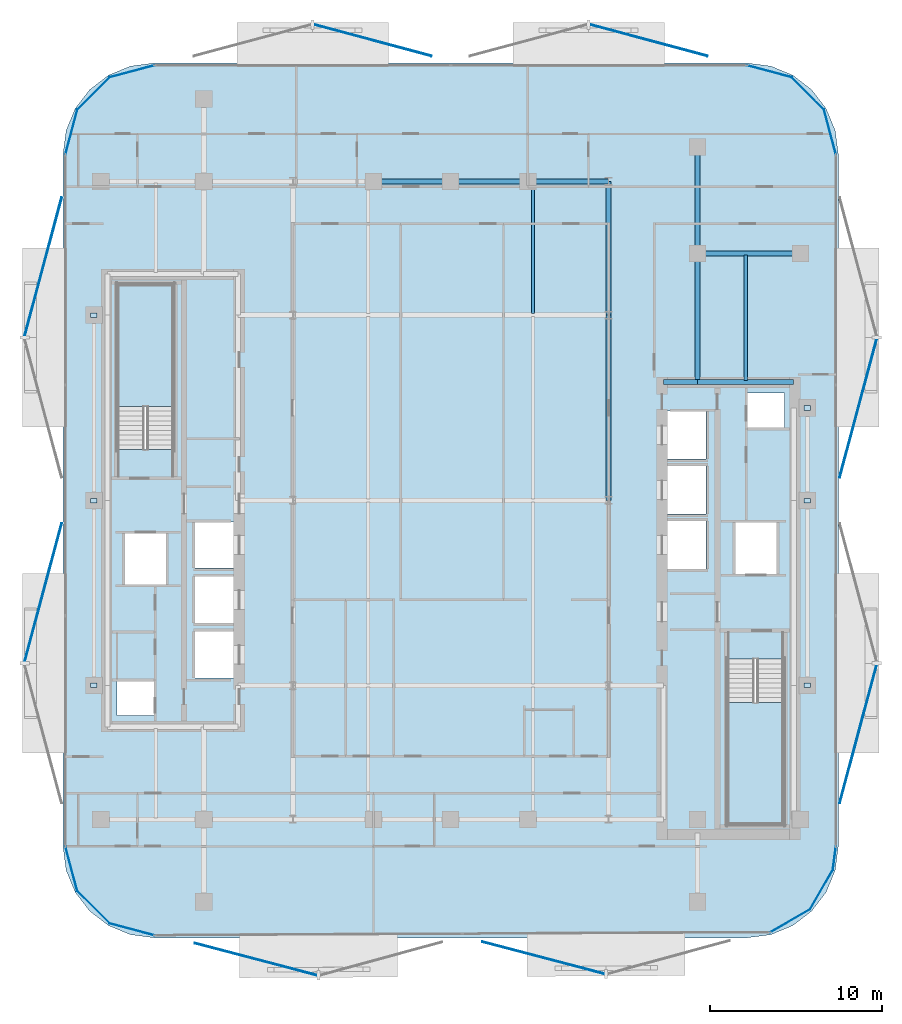
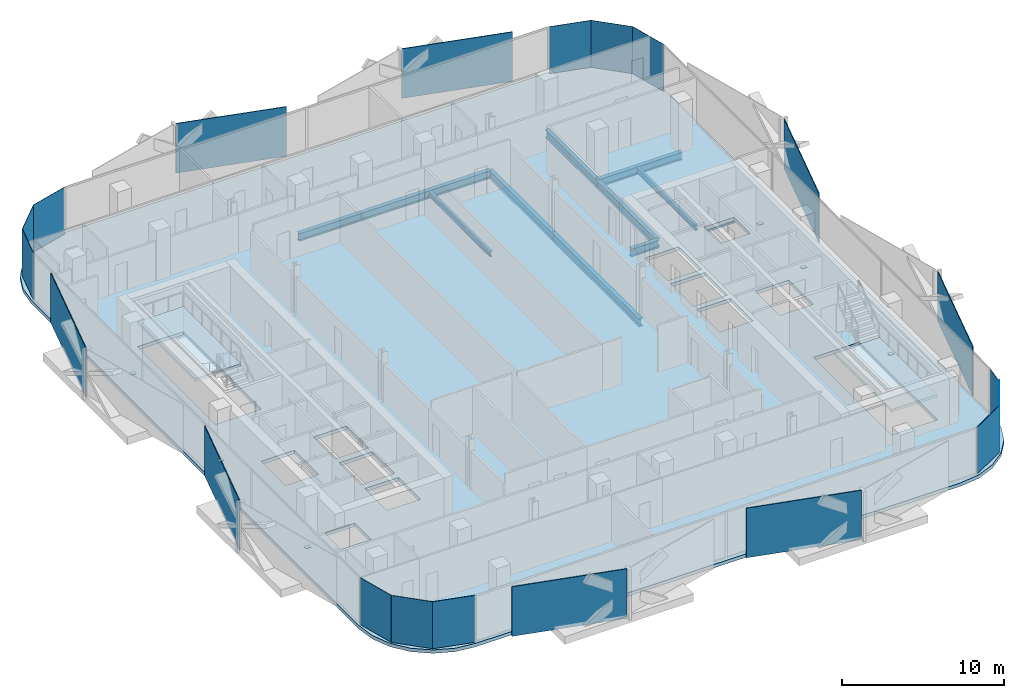
# One storey, part 2 of 16: 26 plates, 12 beams, 3 slabs, 2 elements without a shape of their own.
"""IFC4 building model written with IfcOpenShell, lengths in metres."""

from ifc_helpers import new_model, si_unit, direction, frame, origin, origin_2d, place, context, subcontext, project, spatial, polyline, rectangle, i_section, outline, extrude, material, layer, layer_set, material_profile, profile_set, type_object, element, aggregate, save


model = new_model("IFC4")

# Units and contexts
model_context = context("Model", 3, precision=1e-05, world=origin(), true_north=direction((0.0, 1.0)))
body_context = subcontext(model_context, "Body", "Model", "MODEL_VIEW")
ifc_project = project(units=[si_unit("LENGTHUNIT", "METRE"), si_unit("AREAUNIT", "SQUARE_METRE"), si_unit("VOLUMEUNIT", "CUBIC_METRE"), si_unit("PLANEANGLEUNIT", "RADIAN"), si_unit("MASSUNIT", "GRAM", prefix="KILO")], contexts=[model_context])

# Site, building, storey
site_placement = place(None, origin())
site = spatial("IfcSite", under=ifc_project, at=site_placement, CompositionType="ELEMENT")
building_placement = place(site_placement, origin())
building = spatial("IfcBuilding", under=site, at=building_placement, Name="Khairoan Windgate Tower", CompositionType="ELEMENT")
storey_placement = place(building_placement, frame((0.0, 0.0, 187.800048828125)))
storey = spatial("IfcBuildingStorey", under=building, at=storey_placement, Name="L43", CompositionType="ELEMENT", Elevation=187.800048828125)

# Beams
ifc_material_1 = material(Name="Steel S355", Category="steel")
ifc_material_profile_1 = material_profile(ifc_material_1, i_section(OverallWidth=0.300048828125, OverallDepth=0.587890625, WebThickness=0.011962890625, FlangeThickness=0.02001953125, FilletRadius=0.02392578125, at=origin_2d()))
ifc_profile_set_1 = profile_set([ifc_material_profile_1], Name="Steel S355")
beam_type_1 = type_object("IfcBeamType", Name="Beam B-G4 H588x300x12x20", PredefinedType="BEAM", material=ifc_profile_set_1)
beam_1_placement = place(storey_placement, frame((12.39990234375, 6.89990234375, -0.553955078125), z_axis=(1.0, 0.0, 0.0), x_axis=(0.0, 1.0, 0.0)))
element("IfcBeam", 1, at=beam_1_placement, inside=storey, type_object=beam_type_1, Name="L43 E-W Primary Girder 15", PredefinedType="BEAM", context=body_context, shape_type="SweptSolid", body=[
    extrude(i_section(OverallWidth=0.300048828125, OverallDepth=0.587890625, WebThickness=0.011962890625, FlangeThickness=0.02001953125, FilletRadius=0.02392578125, at=origin_2d()), origin(), (0.0, 0.0, 1.0), 2.0),
])
beam_2_placement = place(storey_placement, frame((14.39990234375, 6.89990234375, -0.553955078125), z_axis=(1.0, 0.0, 0.0), x_axis=(0.0, 1.0, 0.0)))
element("IfcBeam", 2, at=beam_2_placement, inside=storey, type_object=beam_type_1, Name="L43 E-W Primary Girder 16", PredefinedType="BEAM", context=body_context, shape_type="SweptSolid", body=[
    extrude(i_section(OverallWidth=0.300048828125, OverallDepth=0.587890625, WebThickness=0.011962890625, FlangeThickness=0.02001953125, FilletRadius=0.02392578125, at=origin_2d()), origin(), (0.0, 0.0, 1.0), 5.60009765625),
])
beam_3_placement = place(storey_placement, frame((14.39990234375, 14.39990234375, -0.553955078125), z_axis=(1.0, 0.0, 0.0), x_axis=(0.0, 1.0, 0.0)))
element("IfcBeam", 3, at=beam_3_placement, inside=storey, type_object=beam_type_1, Name="L43 E-W Primary Girder 21", PredefinedType="BEAM", context=body_context, shape_type="SweptSolid", body=[
    extrude(i_section(OverallWidth=0.300048828125, OverallDepth=0.587890625, WebThickness=0.011962890625, FlangeThickness=0.02001953125, FilletRadius=0.02392578125, at=origin_2d()), origin(), (0.0, 0.0, 1.0), 6.0),
])
for number, where, z_axis, x_axis, name in (
    (4, (-4.5, 18.60009765625, -0.553955078125), (1.0, 0.0, 0.0), (0.0, 1.0, 0.0), "L43 E-W Primary Girder 25"),
    (5, (0.0, 18.60009765625, -0.553955078125), (1.0, 0.0, 0.0), (0.0, 1.0, 0.0), "L43 E-W Primary Girder 26"),
):
    element("IfcBeam", number, at=place(storey_placement, frame(where, z_axis=z_axis, x_axis=x_axis)), inside=storey, type_object=beam_type_1, Name=name, PredefinedType="BEAM", context=body_context, shape_type="SweptSolid", body=[
        extrude(i_section(OverallWidth=0.300048828125, OverallDepth=0.587890625, WebThickness=0.011962890625, FlangeThickness=0.02001953125, FilletRadius=0.02392578125, at=origin_2d()), origin(), (0.0, 0.0, 1.0), 4.5),
    ])
beam_4_placement = place(storey_placement, frame((4.5, 18.60009765625, -0.553955078125), z_axis=(1.0, 0.0, 0.0), x_axis=(0.0, 1.0, 0.0)))
element("IfcBeam", 6, at=beam_4_placement, inside=storey, type_object=beam_type_1, Name="L43 E-W Primary Girder 27", PredefinedType="BEAM", context=body_context, shape_type="SweptSolid", body=[
    extrude(i_section(OverallWidth=0.300048828125, OverallDepth=0.587890625, WebThickness=0.011962890625, FlangeThickness=0.02001953125, FilletRadius=0.02392578125, at=origin_2d()), origin(), (0.0, 0.0, 1.0), 4.699951171875),
])
beam_5_placement = place(storey_placement, frame((9.199951171875, 0.0, -0.553955078125), z_axis=(0.0, 1.0, 0.0), x_axis=(-1.0, 0.0, 0.0)))
element("IfcBeam", 7, at=beam_5_placement, inside=storey, type_object=beam_type_1, Name="L43 N-S Primary Beam 47", PredefinedType="BEAM", context=body_context, shape_type="SweptSolid", body=[
    extrude(i_section(OverallWidth=0.300048828125, OverallDepth=0.587890625, WebThickness=0.011962890625, FlangeThickness=0.02001953125, FilletRadius=0.02392578125, at=origin_2d()), origin(), (0.0, 0.0, 1.0), 10.800048828125),
])
beam_6_placement = place(storey_placement, frame((9.199951171875, 10.800048828125, -0.553955078125), z_axis=(0.0, 1.0, 0.0), x_axis=(-1.0, 0.0, 0.0)))
element("IfcBeam", 8, at=beam_6_placement, inside=storey, type_object=beam_type_1, Name="L43 N-S Primary Beam 48", PredefinedType="BEAM", context=body_context, shape_type="SweptSolid", body=[
    extrude(i_section(OverallWidth=0.300048828125, OverallDepth=0.587890625, WebThickness=0.011962890625, FlangeThickness=0.02001953125, FilletRadius=0.02392578125, at=origin_2d()), origin(), (0.0, 0.0, 1.0), 7.800048828125),
])
beam_7_placement = place(storey_placement, frame((14.39990234375, 6.89990234375, -0.553955078125), z_axis=(0.0, 1.0, 0.0), x_axis=(-1.0, 0.0, 0.0)))
element("IfcBeam", 9, at=beam_7_placement, inside=storey, type_object=beam_type_1, Name="L43 N-S Primary Beam 51", PredefinedType="BEAM", context=body_context, shape_type="SweptSolid", body=[
    extrude(i_section(OverallWidth=0.300048828125, OverallDepth=0.587890625, WebThickness=0.011962890625, FlangeThickness=0.02001953125, FilletRadius=0.02392578125, at=origin_2d()), origin(), (0.0, 0.0, 1.0), 7.5),
])
beam_8_placement = place(storey_placement, frame((14.39990234375, 14.39990234375, -0.553955078125), z_axis=(0.0, 1.0, 0.0), x_axis=(-1.0, 0.0, 0.0)))
element("IfcBeam", 10, at=beam_8_placement, inside=storey, type_object=beam_type_1, Name="L43 N-S Primary Beam 52", PredefinedType="BEAM", context=body_context, shape_type="SweptSolid", body=[
    extrude(i_section(OverallWidth=0.300048828125, OverallDepth=0.587890625, WebThickness=0.011962890625, FlangeThickness=0.02001953125, FilletRadius=0.02392578125, at=origin_2d()), origin(), (0.0, 0.0, 1.0), 6.2001953125),
])
ifc_material_2 = material(Name="Steel S355", Category="steel")
ifc_material_profile_2 = material_profile(ifc_material_2, i_section(OverallWidth=0.199951171875, OverallDepth=0.39990234375, WebThickness=0.008056640625, FlangeThickness=0.012939453125, FilletRadius=0.01611328125, at=origin_2d()))
ifc_profile_set_2 = profile_set([ifc_material_profile_2], Name="Steel S355")
beam_type_2 = type_object("IfcBeamType", Name="Beam J-S4 H400x200x8x13", PredefinedType="JOIST", material=ifc_profile_set_2)
beam_9_placement = place(storey_placement, frame((4.800048828125, 10.889892578125, -0.4599609375), z_axis=(0.0, 1.0, 0.0), x_axis=(-1.0, 0.0, 0.0)))
element("IfcBeam", 11, at=beam_9_placement, inside=storey, type_object=beam_type_2, Name="L43 Secondary Floor Joist 10", PredefinedType="JOIST", context=body_context, shape_type="SweptSolid", body=[
    extrude(i_section(OverallWidth=0.199951171875, OverallDepth=0.39990234375, WebThickness=0.008056640625, FlangeThickness=0.012939453125, FilletRadius=0.01611328125, at=origin_2d()), origin(), (0.0, 0.0, 1.0), 7.6201171875),
])
beam_10_placement = place(storey_placement, frame((17.199951171875, 6.989990234375, -0.4599609375), z_axis=(0.0, 1.0, 0.0), x_axis=(-1.0, 0.0, 0.0)))
element("IfcBeam", 12, at=beam_10_placement, inside=storey, type_object=beam_type_2, Name="L43 Secondary Floor Joist 11", PredefinedType="JOIST", context=body_context, shape_type="SweptSolid", body=[
    extrude(i_section(OverallWidth=0.199951171875, OverallDepth=0.39990234375, WebThickness=0.008056640625, FlangeThickness=0.012939453125, FilletRadius=0.01611328125, at=origin_2d()), origin(), (0.0, 0.0, 1.0), 7.320068359375),
])

# Plates
ifc_material_3 = material(Name="Low-E Solar Control Laminated Glass", Category="glass")
ifc_layer_1 = layer(ifc_material_3, 0.030029296875, Name="Low-E Solar Control Laminated Glass")
ifc_layer_set_1 = layer_set([ifc_layer_1], Name="Low-E Solar Control Laminated Glass")
plate_type_1 = type_object("IfcPlateType", Name="Aerodynamic Wind-Corner Curved Glazing Plate", PredefinedType="USERDEFINED", material=ifc_layer_set_1)
plate_1_placement = place(storey_placement, frame((-18.585205078125, -25.013916015625, 0.0), z_axis=(0.0, 0.0, 1.0), x_axis=(-0.966061211211, 0.258313252067, 0.0)))
element("IfcPlate", 13, at=plate_1_placement, inside=storey, type_object=plate_type_1, Name="L43 Aerodynamic Wind-Corner Curved Glazing Panel 2", ObjectType="GLAZING PANEL", PredefinedType="USERDEFINED", context=body_context, shape_type="SweptSolid", body=[
    extrude(rectangle(XDim=2.719482421875, YDim=0.030029296875, at=origin_2d()), origin(), (0.0, 0.0, 1.0), 3.5400390625),
])
plate_2_placement = place(storey_placement, frame((-20.823486328125, -23.723388671875, 0.0), z_axis=(0.0, 0.0, 1.0), x_axis=(-0.707106781187, 0.707106781187, 0.0)))
element("IfcPlate", 14, at=plate_2_placement, inside=storey, type_object=plate_type_1, Name="L43 Aerodynamic Wind-Corner Curved Glazing Panel 3", ObjectType="GLAZING PANEL", PredefinedType="USERDEFINED", context=body_context, shape_type="SweptSolid", body=[
    extrude(rectangle(XDim=2.710205078125, YDim=0.030029296875, at=origin_2d()), origin(), (0.0, 0.0, 1.0), 3.5400390625),
])
for number, where, z_axis, x_axis, name in (
    (15, (-22.11376953125, -21.485107421875, 0.0), (0.0, 0.0, 1.0), (-0.258313252067, 0.966061211211, 0.0), "L43 Aerodynamic Wind-Corner Curved Glazing Panel 4"),
    (16, (-22.11376953125, 21.485107421875, 0.0), (0.0, 0.0, 1.0), (0.258313252067, 0.966061211211, 0.0), "L43 Aerodynamic Wind-Corner Curved Glazing Panel 6"),
):
    element("IfcPlate", number, at=place(storey_placement, frame(where, z_axis=z_axis, x_axis=x_axis)), inside=storey, type_object=plate_type_1, Name=name, ObjectType="GLAZING PANEL", PredefinedType="USERDEFINED", context=body_context, shape_type="SweptSolid", body=[
        extrude(rectangle(XDim=2.719482421875, YDim=0.030029296875, at=origin_2d()), origin(), (0.0, 0.0, 1.0), 3.5400390625),
    ])
plate_3_placement = place(storey_placement, frame((-20.823486328125, 23.723388671875, 0.0), z_axis=(0.0, 0.0, 1.0), x_axis=(0.707106781187, 0.707106781187, 0.0)))
element("IfcPlate", 17, at=plate_3_placement, inside=storey, type_object=plate_type_1, Name="L43 Aerodynamic Wind-Corner Curved Glazing Panel 7", ObjectType="GLAZING PANEL", PredefinedType="USERDEFINED", context=body_context, shape_type="SweptSolid", body=[
    extrude(rectangle(XDim=2.710205078125, YDim=0.030029296875, at=origin_2d()), origin(), (0.0, 0.0, 1.0), 3.5400390625),
])
for number, where, z_axis, x_axis, name in (
    (18, (-18.585205078125, 25.013916015625, 0.0), (0.0, 0.0, 1.0), (0.966061211211, 0.258313252067, 0.0), "L43 Aerodynamic Wind-Corner Curved Glazing Panel 8"),
    (19, (18.585205078125, 25.013916015625, 0.0), (0.0, 0.0, 1.0), (0.966061211211, -0.258313252067, 0.0), "L43 Aerodynamic Wind-Corner Curved Glazing Panel 10"),
):
    element("IfcPlate", number, at=place(storey_placement, frame(where, z_axis=z_axis, x_axis=x_axis)), inside=storey, type_object=plate_type_1, Name=name, ObjectType="GLAZING PANEL", PredefinedType="USERDEFINED", context=body_context, shape_type="SweptSolid", body=[
        extrude(rectangle(XDim=2.719482421875, YDim=0.030029296875, at=origin_2d()), origin(), (0.0, 0.0, 1.0), 3.5400390625),
    ])
plate_4_placement = place(storey_placement, frame((20.823486328125, 23.723388671875, 0.0), z_axis=(0.0, 0.0, 1.0), x_axis=(0.707106781187, -0.707106781187, 0.0)))
element("IfcPlate", 20, at=plate_4_placement, inside=storey, type_object=plate_type_1, Name="L43 Aerodynamic Wind-Corner Curved Glazing Panel 11", ObjectType="GLAZING PANEL", PredefinedType="USERDEFINED", context=body_context, shape_type="SweptSolid", body=[
    extrude(rectangle(XDim=2.710205078125, YDim=0.030029296875, at=origin_2d()), origin(), (0.0, 0.0, 1.0), 3.5400390625),
])
plate_5_placement = place(storey_placement, frame((22.11376953125, 21.485107421875, 0.0), z_axis=(0.0, 0.0, 1.0), x_axis=(0.258313252067, -0.966061211211, 0.0)))
element("IfcPlate", 21, at=plate_5_placement, inside=storey, type_object=plate_type_1, Name="L43 Aerodynamic Wind-Corner Curved Glazing Panel 12", ObjectType="GLAZING PANEL", PredefinedType="USERDEFINED", context=body_context, shape_type="SweptSolid", body=[
    extrude(rectangle(XDim=2.719482421875, YDim=0.030029296875, at=origin_2d()), origin(), (0.0, 0.0, 1.0), 3.5400390625),
])
plate_6_placement = place(storey_placement, frame((22.37158203125, -20.863037109375, 0.0), z_axis=(0.0, 0.0, 1.0), x_axis=(-0.13052619222, -0.991444861374, 0.0)))
element("IfcPlate", 22, at=plate_6_placement, inside=storey, type_object=plate_type_1, Name="L43 Aerodynamic Wind-Corner Curved Glazing Panel 14", ObjectType="GLAZING PANEL", PredefinedType="USERDEFINED", context=body_context, shape_type="SweptSolid", body=[
    extrude(rectangle(XDim=1.39599609375, YDim=0.030029296875, at=origin_2d()), origin(), (0.0, 0.0, 1.0), 3.5400390625),
])
for number, where, z_axis, x_axis, name in (
    (23, (21.615478515625, -22.69140625, 0.0), (0.0, 0.0, 1.0), (-0.5, -0.866025403784, 0.0), "L43 Aerodynamic Wind-Corner Curved Glazing Panel 15"),
    (24, (19.79150390625, -24.515380859375, 0.0), (0.0, 0.0, 1.0), (-0.866025403784, -0.5, 0.0), "L43 Aerodynamic Wind-Corner Curved Glazing Panel 16"),
):
    element("IfcPlate", number, at=place(storey_placement, frame(where, z_axis=z_axis, x_axis=x_axis)), inside=storey, type_object=plate_type_1, Name=name, ObjectType="GLAZING PANEL", PredefinedType="USERDEFINED", context=body_context, shape_type="SweptSolid", body=[
        extrude(rectangle(XDim=2.71044921875, YDim=0.030029296875, at=origin_2d()), origin(), (0.0, 0.0, 1.0), 3.5400390625),
    ])
ifc_material_4 = material(Name="Steel S355", Category="steel")
ifc_layer_2 = layer(ifc_material_4, 0.0400390625, Name="Steel S355")
ifc_layer_set_2 = layer_set([ifc_layer_2], Name="Steel S355")
plate_type_2 = type_object("IfcPlateType", Name="Hollow Section End-Cap Plate PL-CAP40", PredefinedType="SHEET", material=ifc_layer_set_2)
for number, where, z_axis, x_axis, name in (
    (25, (-20.800048828125, -10.784912109375, -0.455078125), (0.0, 0.0, 1.0), (0.0, 1.0, 0.0), "BM-SP-L43-028 steel end-cap plate 1"),
    (26, (-20.800048828125, -0.014892578125, -0.455078125), (0.0, 0.0, 1.0), (0.0, 1.0, 0.0), "BM-SP-L43-028 steel end-cap plate 2"),
    (27, (-20.800048828125, 10.784912109375, -0.455078125), (0.0, 0.0, 1.0), (0.0, 1.0, 0.0), "BM-SP-L43-029 steel end-cap plate 2"),
    (28, (20.800048828125, -10.784912109375, -0.455078125), (0.0, 0.0, 1.0), (0.0, 1.0, 0.0), "BM-SP-L43-056 steel end-cap plate 1"),
    (29, (20.800048828125, -0.014892578125, -0.455078125), (0.0, 0.0, 1.0), (0.0, 1.0, 0.0), "BM-SP-L43-056 steel end-cap plate 2"),
    (30, (20.800048828125, 5.385009765625, -0.455078125), (0.0, 0.0, 1.0), (0.0, 1.0, 0.0), "BM-SP-L43-057 steel end-cap plate 2"),
):
    element("IfcPlate", number, at=place(storey_placement, frame(where, z_axis=z_axis, x_axis=x_axis)), inside=storey, type_object=plate_type_2, Name=name, PredefinedType="SHEET", context=body_context, shape_type="SweptSolid", body=[
        extrude(rectangle(XDim=0.27001953125, YDim=0.3701171875, at=origin_2d()), origin(), (0.0, 0.0, 1.0), 0.0400390625),
    ])
ifc_material_5 = material(Name="Anodised Bronze Aluminium 6063-T6", Category="aluminium")
ifc_layer_3 = layer(ifc_material_5, 0.054931640625, Name="Anodised Bronze Aluminium 6063-T6")
ifc_layer_set_3 = layer_set([ifc_layer_3], Name="Anodised Bronze Aluminium 6063-T6")
plate_type_3 = type_object("IfcPlateType", Name="Perforated Bronze Solar Screen Panel BSP-1", PredefinedType="USERDEFINED", material=ifc_layer_set_3)
for number, where, z_axis, x_axis, name in (
    (31, (5.408447265625, -26.673583984375, -0.10009765625), (0.0, 0.0, 1.0), (-0.967179115616, 0.254095569259, 0.0), "L43 Perforated Bronze Solar Screen Panel 281R"),
    (32, (-11.3544921875, -26.756103515625, -0.10009765625), (0.0, 0.0, 1.0), (-0.967179115616, 0.254095569259, 0.0), "L43 Perforated Bronze Solar Screen Panel 282R"),
):
    element("IfcPlate", number, at=place(storey_placement, frame(where, z_axis=z_axis, x_axis=x_axis)), inside=storey, type_object=plate_type_3, Name=name, ObjectType="SCREEN", PredefinedType="USERDEFINED", context=body_context, shape_type="SweptSolid", body=[
        extrude(rectangle(XDim=7.3759765625, YDim=0.054931640625, at=origin_2d()), origin(), (0.0, 0.0, 1.0), 3.739990234375),
    ])
for number, where, z_axis, x_axis, name in (
    (33, (-23.7587890625, -5.369873046875, -0.10009765625), (0.0, 0.0, 1.0), (0.258819045103, 0.965925826289, 0.0), "L43 Perforated Bronze Solar Screen Panel 283R"),
    (34, (-23.7587890625, 13.62109375, -0.10009765625), (0.0, 0.0, 1.0), (0.258819045103, 0.965925826289, 0.0), "L43 Perforated Bronze Solar Screen Panel 284R"),
):
    element("IfcPlate", number, at=place(storey_placement, frame(where, z_axis=z_axis, x_axis=x_axis)), inside=storey, type_object=plate_type_3, Name=name, ObjectType="SCREEN", PredefinedType="USERDEFINED", context=body_context, shape_type="SweptSolid", body=[
        extrude(rectangle(XDim=8.35595703125, YDim=0.054931640625, at=origin_2d()), origin(), (0.0, 0.0, 1.0), 3.739990234375),
    ])
for number, where, z_axis, x_axis, name in (
    (35, (-4.535888671875, 26.82373046875, -0.10009765625), (0.0, 0.0, 1.0), (0.965925826289, -0.258819045103, 0.0), "L43 Perforated Bronze Solar Screen Panel 285R"),
    (36, (11.5546875, 26.82373046875, -0.10009765625), (0.0, 0.0, 1.0), (0.965925826289, -0.258819045103, 0.0), "L43 Perforated Bronze Solar Screen Panel 286R"),
):
    element("IfcPlate", number, at=place(storey_placement, frame(where, z_axis=z_axis, x_axis=x_axis)), inside=storey, type_object=plate_type_3, Name=name, ObjectType="SCREEN", PredefinedType="USERDEFINED", context=body_context, shape_type="SweptSolid", body=[
        extrude(rectangle(XDim=7.080078125, YDim=0.054931640625, at=origin_2d()), origin(), (0.0, 0.0, 1.0), 3.739990234375),
    ])
for number, where, z_axis, x_axis, name in (
    (37, (23.7587890625, 5.369873046875, -0.10009765625), (0.0, 0.0, 1.0), (-0.258819045103, -0.965925826289, 0.0), "L43 Perforated Bronze Solar Screen Panel 287R"),
    (38, (23.7587890625, -13.62109375, -0.10009765625), (0.0, 0.0, 1.0), (-0.258819045103, -0.965925826289, 0.0), "L43 Perforated Bronze Solar Screen Panel 288R"),
):
    element("IfcPlate", number, at=place(storey_placement, frame(where, z_axis=z_axis, x_axis=x_axis)), inside=storey, type_object=plate_type_3, Name=name, ObjectType="SCREEN", PredefinedType="USERDEFINED", context=body_context, shape_type="SweptSolid", body=[
        extrude(rectangle(XDim=8.35595703125, YDim=0.054931640625, at=origin_2d()), origin(), (0.0, 0.0, 1.0), 3.739990234375),
    ])

# Stair, slab
ifc_material_6 = material(Name="Concrete C40/50", Category="concrete")
stair_type = type_object("IfcStairType", Name="Tower Core Dog-Leg Stair ST-T1 1560mm", PredefinedType="HALF_TURN_STAIR", material=ifc_material_6)
stair_1_placement = place(storey_placement, origin())
stair_1 = element("IfcStair", 39, at=stair_1_placement, inside=storey, type_object=stair_type, Name="L43 Stair ST1", PredefinedType="HALF_TURN_STAIR")
ifc_material_7 = material(Name="Concrete C40/50", Category="concrete")
ifc_layer_4 = layer(ifc_material_7, 0.199951171875, Name="Concrete C40/50")
ifc_layer_set_4 = layer_set([ifc_layer_4], Name="Concrete C40/50")
slab_type_1 = type_object("IfcSlabType", Name="Reinforced Concrete Stair Landing Slab STL-200", PredefinedType="LANDING", material=ifc_layer_set_4)
slab_1_placement = place(storey_placement, frame((0.0, 0.0, 1.699951171875)))
slab_1 = element("IfcSlab", 40, at=slab_1_placement, type_object=slab_type_1, Name="ST1 landing 1", PredefinedType="LANDING", context=body_context, shape_type="SweptSolid", body=[
    extrude(outline(polyline([(16.14990234375, -11.780029296875), (16.14990234375, -18.89990234375), (19.419921875, -18.89990234375), (19.419921875, -11.780029296875), (16.14990234375, -11.780029296875)])), origin(), (0.0, 0.0, 1.0), 0.199951171875),
])
aggregate(stair_1, [slab_1])

stair_2_placement = place(storey_placement, origin())
stair_2 = element("IfcStair", 41, at=stair_2_placement, inside=storey, type_object=stair_type, Name="L43 Stair ST2", PredefinedType="HALF_TURN_STAIR")
slab_2_placement = place(storey_placement, frame((0.0, 0.0, 1.699951171875)))
slab_2 = element("IfcSlab", 42, at=slab_2_placement, type_object=slab_type_1, Name="ST2 landing 1", PredefinedType="LANDING", context=body_context, shape_type="SweptSolid", body=[
    extrude(outline(polyline([(-16.14990234375, 5.47998046875), (-16.14990234375, 12.60009765625), (-19.419921875, 12.60009765625), (-19.419921875, 5.47998046875), (-16.14990234375, 5.47998046875)])), origin(), (0.0, 0.0, 1.0), 0.199951171875),
])
aggregate(stair_2, [slab_2])

# Slab
ifc_material_8 = material(Name="Concrete C40/50", Category="concrete")
ifc_layer_5 = layer(ifc_material_8, 0.260009765625, Name="Concrete C40/50")
ifc_layer_set_5 = layer_set([ifc_layer_5], Name="Concrete C40/50")
slab_type_2 = type_object("IfcSlabType", Name="Tower Composite Floor Slab FS2 260mm", PredefinedType="FLOOR", material=ifc_layer_set_5)
slab_3_placement = place(storey_placement, frame((0.0, 0.0, -0.260009765625)))
element("IfcSlab", 43, at=slab_3_placement, inside=storey, type_object=slab_type_2, Name="L43 Structural Floor Slab", PredefinedType="FLOOR", context=body_context, shape_type="SweptSolid", body=[
    extrude(outline(polyline([(17.300048828125, -25.5), (18.671630859375, -25.3193359375), (19.949951171875, -24.789794921875), (21.047607421875, -23.94775390625), (21.889892578125, -22.85009765625), (22.41943359375, -21.57177734375), (22.60009765625, -20.199951171875), (22.60009765625, 20.199951171875), (22.41943359375, 21.57177734375), (21.889892578125, 22.85009765625), (21.047607421875, 23.94775390625), (19.949951171875, 24.789794921875), (18.671630859375, 25.3193359375), (17.300048828125, 25.5), (-17.300048828125, 25.5), (-18.671630859375, 25.3193359375), (-19.949951171875, 24.789794921875), (-21.047607421875, 23.94775390625), (-21.889892578125, 22.85009765625), (-22.41943359375, 21.57177734375), (-22.60009765625, 20.199951171875), (-22.60009765625, -20.199951171875), (-22.41943359375, -21.57177734375), (-21.889892578125, -22.85009765625), (-21.047607421875, -23.94775390625), (-19.949951171875, -24.789794921875), (-18.671630859375, -25.3193359375), (-17.300048828125, -25.5), (17.300048828125, -25.5)]), holes=[polyline([(16.14990234375, -9.260009765625), (16.14990234375, -18.89990234375), (19.419921875, -18.89990234375), (19.419921875, -9.260009765625), (16.14990234375, -9.260009765625)]), polyline([(-16.14990234375, 2.9599609375), (-16.14990234375, 12.60009765625), (-19.419921875, 12.60009765625), (-19.419921875, 2.9599609375), (-16.14990234375, 2.9599609375)]), polyline([(-14.89990234375, -3.949951171875), (-12.5, -3.949951171875), (-12.5, -1.25), (-14.89990234375, -1.25), (-14.89990234375, -3.949951171875)]), polyline([(-14.89990234375, -7.14990234375), (-12.5, -7.14990234375), (-12.5, -4.449951171875), (-14.89990234375, -4.449951171875), (-14.89990234375, -7.14990234375)]), polyline([(-14.89990234375, -10.35009765625), (-12.5, -10.35009765625), (-12.5, -7.64990234375), (-14.89990234375, -7.64990234375), (-14.89990234375, -10.35009765625)]), polyline([(12.5, 2.39990234375), (14.89990234375, 2.39990234375), (14.89990234375, 5.199951171875), (12.5, 5.199951171875), (12.5, 2.39990234375)]), polyline([(12.5, -0.800048828125), (14.89990234375, -0.800048828125), (14.89990234375, 2.0), (12.5, 2.0), (12.5, -0.800048828125)]), polyline([(12.5, -4.0), (14.89990234375, -4.0), (14.89990234375, -1.199951171875), (12.5, -1.199951171875), (12.5, -4.0)]), polyline([(16.60009765625, -4.300048828125), (19.0, -4.300048828125), (19.0, -1.300048828125), (16.60009765625, -1.300048828125), (16.60009765625, -4.300048828125)]), polyline([(-19.0, -4.89990234375), (-16.60009765625, -4.89990234375), (-16.60009765625, -1.89990234375), (-19.0, -1.89990234375), (-19.0, -4.89990234375)]), polyline([(-19.449951171875, -12.550048828125), (-17.31005859375, -12.550048828125), (-17.31005859375, -10.550048828125), (-19.449951171875, -10.550048828125), (-19.449951171875, -12.550048828125)]), polyline([(17.31005859375, 4.25), (19.449951171875, 4.25), (19.449951171875, 6.25), (17.31005859375, 6.25), (17.31005859375, 4.25)])]), origin(), (0.0, 0.0, 1.0), 0.260009765625),
])

save(model, "model.ifc")
